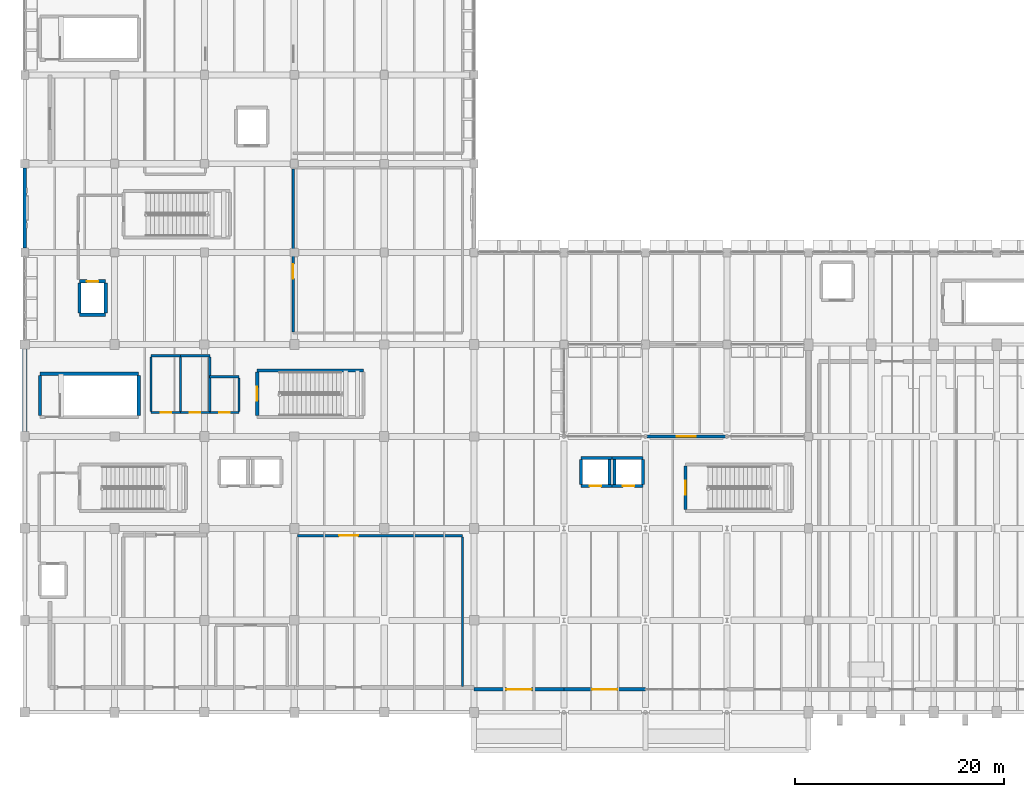
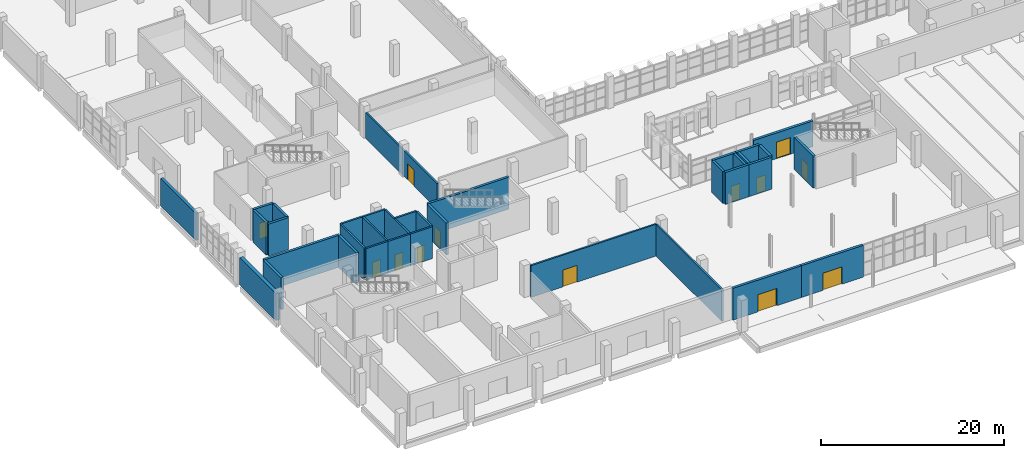
# One storey, part 58 of 76: 36 walls, 13 doors, 13 openings.
"""IFC4 building model written with IfcOpenShell, lengths in metres."""

from ifc_helpers import new_model, si_unit, direction, frame, frame_2d, origin, place, context, subcontext, project, spatial, rectangle, extrude, material, layer, layer_set, type_object, element, fill, save


model = new_model("IFC4")

# Units and contexts
model_context = context("Model", 3, precision=1e-05, world=origin(), true_north=direction((0.0, 1.0)))
body_context = subcontext(model_context, "Body", "Model", "MODEL_VIEW")
ifc_project = project(units=[si_unit("LENGTHUNIT", "METRE"), si_unit("AREAUNIT", "SQUARE_METRE"), si_unit("VOLUMEUNIT", "CUBIC_METRE"), si_unit("PLANEANGLEUNIT", "RADIAN"), si_unit("MASSUNIT", "GRAM", prefix="KILO")], contexts=[model_context])

# Site, building, storey
site_placement = place(None, origin())
site = spatial("IfcSite", under=ifc_project, at=site_placement, CompositionType="ELEMENT")
building_placement = place(site_placement, origin())
building = spatial("IfcBuilding", under=site, at=building_placement, Name="Varnakota Cinema and Media Centre", CompositionType="ELEMENT")
storey_placement = place(building_placement, origin())
storey = spatial("IfcBuildingStorey", under=building, at=storey_placement, Name="L00", CompositionType="ELEMENT", Elevation=0.0)

# Wall, opening, door
ifc_material_1 = material(Name="Autoclaved aerated concrete blockwork", Category="masonry")
ifc_layer_1 = layer(ifc_material_1, 0.2099609375)
ifc_layer_set_1 = layer_set([ifc_layer_1], Name="Autoclaved aerated concrete blockwork")
wall_type_1 = type_object("IfcWallType", Name="W-ACOUST-210", PredefinedType="PARTITIONING", material=ifc_layer_set_1)
wall_1_placement = place(storey_placement, frame((26.094970703125, 16.905029296875, 0.0), z_axis=(0.0, 0.0, 1.0), x_axis=(1.0, 0.0, 0.0)))
wall_1 = element("IfcWall", 1, at=wall_1_placement, inside=storey, type_object=wall_type_1, Name="L00 RWALL-RM-L00-CAFE N wall", PredefinedType="PARTITIONING", context=body_context, shape_type="SweptSolid", body=[
    extrude(rectangle(XDim=15.81005859375, YDim=0.2099609375, at=frame_2d((7.905029296875, 0.0))), origin(), (0.0, 0.0, 1.0), 4.22998046875),
])
opening_1_placement = place(wall_1_placement, frame((4.0048828125, 0.0, 0.0)))
opening_1 = element("IfcOpeningElement", 2, at=opening_1_placement, cuts=wall_1, Name="Opening D-048", PredefinedType="OPENING", context=body_context, shape_type="SweptSolid", body=[
    extrude(rectangle(XDim=1.800048828125, YDim=2.25, at=frame_2d((0.89990234375, 1.125))), frame((0.0, 0.10498046875, 0.0), z_axis=(0.0, -1.0, 0.0), x_axis=(1.0, 0.0, 0.0)), (0.0, 0.0, 1.0), 0.2099609375),
])
ifc_material_2 = material(Name="Thermally broken anodised aluminium AW-6063", Category="aluminium")
door_type_1 = type_object("IfcDoorType", Name="DR-AUD-1800x2250", OperationType="DOUBLE_DOOR_SINGLE_SWING", PredefinedType="DOOR", material=ifc_material_2)
door_1_placement = place(opening_1_placement, origin())
door_1 = element("IfcDoor", 3, at=door_1_placement, inside=storey, type_object=door_type_1, Name="L00 door D-048", OperationType="DOUBLE_DOOR_SINGLE_SWING", OverallHeight=2.25, OverallWidth=1.800048828125, PredefinedType="DOOR", context=body_context, shape_type="SweptSolid", body=[
    extrude(rectangle(XDim=1.800048828125, YDim=2.25, at=frame_2d((0.89990234375, 1.125))), frame((0.0, 0.02490234375, 0.0), z_axis=(0.0, -1.0, 0.0), x_axis=(1.0, 0.0, 0.0)), (0.0, 0.0, 1.0), 0.050048828125),
])
fill(opening_1, door_1)

# Wall
wall_2_placement = place(storey_placement, frame((41.905029296875, 16.800048828125, 0.0), z_axis=(0.0, 0.0, 1.0), x_axis=(0.0, -1.0, 0.0)))
element("IfcWall", 4, at=wall_2_placement, inside=storey, type_object=wall_type_1, Name="L00 RWALL-RM-L00-CAFE E wall", PredefinedType="PARTITIONING", context=body_context, shape_type="SweptSolid", body=[
    extrude(rectangle(XDim=14.35009765625, YDim=0.2099609375, at=frame_2d((7.175048828125, 0.0))), origin(), (0.0, 0.0, 1.0), 4.22998046875),
])

# Wall, opening, door
wall_3_placement = place(storey_placement, frame((25.695068359375, 36.39990234375, 0.0), z_axis=(0.0, 0.0, 1.0), x_axis=(0.0, 1.0, 0.0)))
wall_3 = element("IfcWall", 5, at=wall_3_placement, inside=storey, type_object=wall_type_1, Name="L00 RWALL-RM-L00-REC1 W wall", PredefinedType="PARTITIONING", context=body_context, shape_type="SweptSolid", body=[
    extrude(rectangle(XDim=15.60009765625, YDim=0.2099609375, at=frame_2d((7.800048828125, 0.0))), origin(), (0.0, 0.0, 1.0), 3.429931640625),
])
opening_2_placement = place(wall_3_placement, frame((5.10009765625, 0.0, 0.0)))
opening_2 = element("IfcOpeningElement", 6, at=opening_2_placement, cuts=wall_3, Name="Opening D-053", PredefinedType="OPENING", context=body_context, shape_type="SweptSolid", body=[
    extrude(rectangle(XDim=1.39990234375, YDim=2.14990234375, at=frame_2d((0.699951171875, 1.074951171875))), frame((0.0, 0.10498046875, 0.0), z_axis=(0.0, -1.0, 0.0), x_axis=(1.0, 0.0, 0.0)), (0.0, 0.0, 1.0), 0.2099609375),
])
ifc_material_3 = material(Name="Thermally broken anodised aluminium AW-6063", Category="aluminium")
door_type_2 = type_object("IfcDoorType", Name="DR-STD-1400x2150", OperationType="DOUBLE_DOOR_SINGLE_SWING", PredefinedType="DOOR", material=ifc_material_3)
door_2_placement = place(opening_2_placement, origin())
door_2 = element("IfcDoor", 7, at=door_2_placement, inside=storey, type_object=door_type_2, Name="L00 door D-053", OperationType="DOUBLE_DOOR_SINGLE_SWING", OverallHeight=2.14990234375, OverallWidth=1.39990234375, PredefinedType="DOOR", context=body_context, shape_type="SweptSolid", body=[
    extrude(rectangle(XDim=1.39990234375, YDim=2.14990234375, at=frame_2d((0.699951171875, 1.074951171875))), frame((0.0, 0.02490234375, 0.0), z_axis=(0.0, -1.0, 0.0), x_axis=(1.0, 0.0, 0.0)), (0.0, 0.0, 1.0), 0.050048828125),
])
fill(opening_2, door_2)

ifc_material_4 = material(Name="Concrete M40", Category="concrete")
ifc_layer_2 = layer(ifc_material_4, 0.300048828125)
ifc_layer_set_2 = layer_set([ifc_layer_2], Name="Concrete M40")
wall_type_2 = type_object("IfcWallType", Name="W-CORE-300", PredefinedType="SHEAR", material=ifc_layer_set_2)
wall_4_placement = place(storey_placement, frame((22.25, 28.39990234375, 0.0), z_axis=(0.0, 0.0, 1.0), x_axis=(0.0, 1.0, 0.0)))
wall_4 = element("IfcWall", 8, at=wall_4_placement, inside=storey, type_object=wall_type_2, Name="L00 CWALL-ST-02-L00 W wall", PredefinedType="SHEAR", context=body_context, shape_type="SweptSolid", body=[
    extrude(rectangle(XDim=4.150146484375, YDim=0.300048828125, at=frame_2d((2.0751953125, 0.0))), origin(), (0.0, 0.0, 1.0), 4.25),
])
opening_3_placement = place(wall_4_placement, frame((1.39990234375, 0.0, 0.0)))
opening_3 = element("IfcOpeningElement", 9, at=opening_3_placement, cuts=wall_4, Name="Opening SD-02", PredefinedType="OPENING", context=body_context, shape_type="SweptSolid", body=[
    extrude(rectangle(XDim=1.35009765625, YDim=2.199951171875, at=frame_2d((0.675048828125, 1.10009765625))), frame((0.0, 0.14990234375, 0.0), z_axis=(0.0, -1.0, 0.0), x_axis=(1.0, 0.0, 0.0)), (0.0, 0.0, 1.0), 0.300048828125),
])
ifc_material_5 = material(Name="Thermally broken anodised aluminium AW-6063", Category="aluminium")
door_type_3 = type_object("IfcDoorType", Name="DR-STAIR-1350x2200", OperationType="NOTDEFINED", PredefinedType="DOOR", material=ifc_material_5)
door_3_placement = place(opening_3_placement, origin())
door_3 = element("IfcDoor", 10, at=door_3_placement, inside=storey, type_object=door_type_3, Name="L00 door SD-02", OperationType="SINGLE_SWING_LEFT", OverallHeight=2.199951171875, OverallWidth=1.35009765625, PredefinedType="DOOR", context=body_context, shape_type="SweptSolid", body=[
    extrude(rectangle(XDim=1.35009765625, YDim=2.199951171875, at=frame_2d((0.675048828125, 1.10009765625))), frame((0.0, 0.02490234375, 0.0), z_axis=(0.0, -1.0, 0.0), x_axis=(1.0, 0.0, 0.0)), (0.0, 0.0, 1.0), 0.050048828125),
])
fill(opening_3, door_3)

# Wall
wall_5_placement = place(storey_placement, frame((22.25, 32.699951171875, 0.0), z_axis=(0.0, 0.0, 1.0), x_axis=(1.0, 0.0, 0.0)))
element("IfcWall", 11, at=wall_5_placement, inside=storey, type_object=wall_type_2, Name="L00 CWALL-ST-02-L00 N wall", PredefinedType="SHEAR", context=body_context, shape_type="SweptSolid", body=[
    extrude(rectangle(XDim=10.179931640625, YDim=0.300048828125, at=frame_2d((5.08984375, 0.0))), origin(), (0.0, 0.0, 1.0), 4.25),
])

# Wall, opening, door
wall_6_placement = place(storey_placement, frame((63.25, 19.39990234375, 0.0), z_axis=(0.0, 0.0, 1.0), x_axis=(0.0, 1.0, 0.0)))
wall_6 = element("IfcWall", 12, at=wall_6_placement, inside=storey, type_object=wall_type_2, Name="L00 CWALL-ST-04-L00 W wall", PredefinedType="SHEAR", context=body_context, shape_type="SweptSolid", body=[
    extrude(rectangle(XDim=4.150146484375, YDim=0.300048828125, at=frame_2d((2.0751953125, 0.0))), origin(), (0.0, 0.0, 1.0), 4.25),
])
opening_4_placement = place(wall_6_placement, frame((1.39990234375, 0.0, 0.0)))
opening_4 = element("IfcOpeningElement", 13, at=opening_4_placement, cuts=wall_6, Name="Opening SD-04", PredefinedType="OPENING", context=body_context, shape_type="SweptSolid", body=[
    extrude(rectangle(XDim=1.35009765625, YDim=2.199951171875, at=frame_2d((0.675048828125, 1.10009765625))), frame((0.0, 0.14990234375, 0.0), z_axis=(0.0, -1.0, 0.0), x_axis=(1.0, 0.0, 0.0)), (0.0, 0.0, 1.0), 0.300048828125),
])
door_4_placement = place(opening_4_placement, origin())
door_4 = element("IfcDoor", 14, at=door_4_placement, inside=storey, type_object=door_type_3, Name="L00 door SD-04", OperationType="SINGLE_SWING_LEFT", OverallHeight=2.199951171875, OverallWidth=1.35009765625, PredefinedType="DOOR", context=body_context, shape_type="SweptSolid", body=[
    extrude(rectangle(XDim=1.35009765625, YDim=2.199951171875, at=frame_2d((0.675048828125, 1.10009765625))), frame((0.0, 0.02490234375, 0.0), z_axis=(0.0, -1.0, 0.0), x_axis=(1.0, 0.0, 0.0)), (0.0, 0.0, 1.0), 0.050048828125),
])
fill(opening_4, door_4)

# Walls
wall_7_placement = place(storey_placement, frame((1.449951171875, 28.39990234375, 0.0), z_axis=(0.0, 0.0, 1.0), x_axis=(0.0, 1.0, 0.0)))
element("IfcWall", 15, at=wall_7_placement, inside=storey, type_object=wall_type_2, Name="L00 CWALL-ST-B1-L00 W wall", PredefinedType="SHEAR", context=body_context, shape_type="SweptSolid", body=[
    extrude(rectangle(XDim=3.85009765625, YDim=0.300048828125, at=frame_2d((1.925048828125, 0.0))), origin(), (0.0, 0.0, 1.0), 4.25),
])
wall_8_placement = place(storey_placement, frame((1.449951171875, 32.39990234375, 0.0), z_axis=(0.0, 0.0, 1.0), x_axis=(1.0, 0.0, 0.0)))
element("IfcWall", 16, at=wall_8_placement, inside=storey, type_object=wall_type_2, Name="L00 CWALL-ST-B1-L00 N wall", PredefinedType="SHEAR", context=body_context, shape_type="SweptSolid", body=[
    extrude(rectangle(XDim=9.4599609375, YDim=0.300048828125, at=frame_2d((4.72998046875, 0.0))), origin(), (0.0, 0.0, 1.0), 4.25),
])
wall_9_placement = place(storey_placement, frame((10.909912109375, 32.25, 0.0), z_axis=(0.0, 0.0, 1.0), x_axis=(0.0, -1.0, 0.0)))
element("IfcWall", 17, at=wall_9_placement, inside=storey, type_object=wall_type_2, Name="L00 CWALL-ST-B1-L00 E wall", PredefinedType="SHEAR", context=body_context, shape_type="SweptSolid", body=[
    extrude(rectangle(XDim=3.85009765625, YDim=0.300048828125, at=frame_2d((1.925048828125, 0.0))), origin(), (0.0, 0.0, 1.0), 4.25),
])
wall_10_placement = place(storey_placement, frame((7.75, 38.050048828125, 0.0), z_axis=(0.0, 0.0, 1.0), x_axis=(-1.0, 0.0, 0.0)))
element("IfcWall", 18, at=wall_10_placement, inside=storey, type_object=wall_type_2, Name="L00 LSHAFT-LF-02-L00 S wall", PredefinedType="SHEAR", context=body_context, shape_type="SweptSolid", body=[
    extrude(rectangle(XDim=2.5, YDim=0.300048828125, at=frame_2d((1.25, 0.0))), origin(), (0.0, 0.0, 1.0), 4.25),
])
wall_11_placement = place(storey_placement, frame((5.25, 38.199951171875, 0.0), z_axis=(0.0, 0.0, 1.0), x_axis=(0.0, 1.0, 0.0)))
element("IfcWall", 19, at=wall_11_placement, inside=storey, type_object=wall_type_2, Name="L00 LSHAFT-LF-02-L00 W wall", PredefinedType="SHEAR", context=body_context, shape_type="SweptSolid", body=[
    extrude(rectangle(XDim=2.900146484375, YDim=0.300048828125, at=frame_2d((1.4501953125, 0.0))), origin(), (0.0, 0.0, 1.0), 4.25),
])

# Wall, opening, door
wall_12_placement = place(storey_placement, frame((5.25, 41.25, 0.0), z_axis=(0.0, 0.0, 1.0), x_axis=(1.0, 0.0, 0.0)))
wall_12 = element("IfcWall", 20, at=wall_12_placement, inside=storey, type_object=wall_type_2, Name="L00 LSHAFT-LF-02-L00 N wall", PredefinedType="SHEAR", context=body_context, shape_type="SweptSolid", body=[
    extrude(rectangle(XDim=2.5, YDim=0.300048828125, at=frame_2d((1.25, 0.0))), origin(), (0.0, 0.0, 1.0), 4.25),
])
opening_5_placement = place(wall_12_placement, frame((0.699951171875, 0.0, 0.0)))
opening_5 = element("IfcOpeningElement", 21, at=opening_5_placement, cuts=wall_12, Name="Opening LD-02", PredefinedType="OPENING", context=body_context, shape_type="SweptSolid", body=[
    extrude(rectangle(XDim=1.10009765625, YDim=2.10009765625, at=frame_2d((0.550048828125, 1.050048828125))), frame((0.0, 0.14990234375, 0.0), z_axis=(0.0, -1.0, 0.0), x_axis=(1.0, 0.0, 0.0)), (0.0, 0.0, 1.0), 0.300048828125),
])
ifc_material_6 = material(Name="Thermally broken anodised aluminium AW-6063", Category="aluminium")
door_type_4 = type_object("IfcDoorType", Name="DR-LIFT-1100x2100", OperationType="SLIDING_TO_LEFT", PredefinedType="DOOR", material=ifc_material_6)
door_5_placement = place(opening_5_placement, origin())
door_5 = element("IfcDoor", 22, at=door_5_placement, inside=storey, type_object=door_type_4, Name="L00 door LD-02", OperationType="SLIDING_TO_LEFT", OverallHeight=2.10009765625, OverallWidth=1.10009765625, PredefinedType="DOOR", context=body_context, shape_type="SweptSolid", body=[
    extrude(rectangle(XDim=1.10009765625, YDim=2.10009765625, at=frame_2d((0.550048828125, 1.050048828125))), frame((0.0, 0.02490234375, 0.0), z_axis=(0.0, -1.0, 0.0), x_axis=(1.0, 0.0, 0.0)), (0.0, 0.0, 1.0), 0.050048828125),
])
fill(opening_5, door_5)

# Wall
wall_13_placement = place(storey_placement, frame((7.75, 41.10009765625, 0.0), z_axis=(0.0, 0.0, 1.0), x_axis=(0.0, -1.0, 0.0)))
element("IfcWall", 23, at=wall_13_placement, inside=storey, type_object=wall_type_2, Name="L00 LSHAFT-LF-02-L00 E wall", PredefinedType="SHEAR", context=body_context, shape_type="SweptSolid", body=[
    extrude(rectangle(XDim=2.900146484375, YDim=0.300048828125, at=frame_2d((1.4501953125, 0.0))), origin(), (0.0, 0.0, 1.0), 4.25),
])

# Wall, opening, door
wall_14_placement = place(storey_placement, frame((56.199951171875, 21.64990234375, 0.0), z_axis=(0.0, 0.0, 1.0), x_axis=(-1.0, 0.0, 0.0)))
wall_14 = element("IfcWall", 24, at=wall_14_placement, inside=storey, type_object=wall_type_2, Name="L00 LSHAFT-LF-05-L00 S wall", PredefinedType="SHEAR", context=body_context, shape_type="SweptSolid", body=[
    extrude(rectangle(XDim=2.949951171875, YDim=0.300048828125, at=frame_2d((1.47509765625, 0.0))), origin(), (0.0, 0.0, 1.0), 4.25),
])
opening_6_placement = place(wall_14_placement, frame((1.050048828125, 0.0, 0.0)))
opening_6 = element("IfcOpeningElement", 25, at=opening_6_placement, cuts=wall_14, Name="Opening LD-05", PredefinedType="OPENING", context=body_context, shape_type="SweptSolid", body=[
    extrude(rectangle(XDim=1.10009765625, YDim=2.10009765625, at=frame_2d((0.550048828125, 1.050048828125))), frame((0.0, 0.14990234375, 0.0), z_axis=(0.0, -1.0, 0.0), x_axis=(1.0, 0.0, 0.0)), (0.0, 0.0, 1.0), 0.300048828125),
])
door_6_placement = place(opening_6_placement, origin())
door_6 = element("IfcDoor", 26, at=door_6_placement, inside=storey, type_object=door_type_4, Name="L00 door LD-05", OperationType="SLIDING_TO_LEFT", OverallHeight=2.10009765625, OverallWidth=1.10009765625, PredefinedType="DOOR", context=body_context, shape_type="SweptSolid", body=[
    extrude(rectangle(XDim=1.10009765625, YDim=2.10009765625, at=frame_2d((0.550048828125, 1.050048828125))), frame((0.0, 0.02490234375, 0.0), z_axis=(0.0, -1.0, 0.0), x_axis=(1.0, 0.0, 0.0)), (0.0, 0.0, 1.0), 0.050048828125),
])
fill(opening_6, door_6)

# Walls
wall_15_placement = place(storey_placement, frame((53.25, 21.800048828125, 0.0), z_axis=(0.0, 0.0, 1.0), x_axis=(0.0, 1.0, 0.0)))
element("IfcWall", 27, at=wall_15_placement, inside=storey, type_object=wall_type_2, Name="L00 LSHAFT-LF-05-L00 W wall", PredefinedType="SHEAR", context=body_context, shape_type="SweptSolid", body=[
    extrude(rectangle(XDim=2.39990234375, YDim=0.300048828125, at=frame_2d((1.199951171875, 0.0))), origin(), (0.0, 0.0, 1.0), 4.25),
])
wall_16_placement = place(storey_placement, frame((53.25, 24.35009765625, 0.0), z_axis=(0.0, 0.0, 1.0), x_axis=(1.0, 0.0, 0.0)))
element("IfcWall", 28, at=wall_16_placement, inside=storey, type_object=wall_type_2, Name="L00 LSHAFT-LF-05-L00 N wall", PredefinedType="SHEAR", context=body_context, shape_type="SweptSolid", body=[
    extrude(rectangle(XDim=2.949951171875, YDim=0.300048828125, at=frame_2d((1.47509765625, 0.0))), origin(), (0.0, 0.0, 1.0), 4.25),
])
wall_17_placement = place(storey_placement, frame((55.949951171875, 24.199951171875, 0.0), z_axis=(0.0, 0.0, 1.0), x_axis=(0.0, -1.0, 0.0)))
element("IfcWall", 29, at=wall_17_placement, inside=storey, type_object=wall_type_2, Name="L00 LSHAFT-LF-05-L00 E wall", PredefinedType="SHEAR", context=body_context, shape_type="SweptSolid", body=[
    extrude(rectangle(XDim=2.39990234375, YDim=0.300048828125, at=frame_2d((1.199951171875, 0.0))), origin(), (0.0, 0.0, 1.0), 4.25),
])

# Wall, opening, door
wall_18_placement = place(storey_placement, frame((59.14990234375, 21.64990234375, 0.0), z_axis=(0.0, 0.0, 1.0), x_axis=(-1.0, 0.0, 0.0)))
wall_18 = element("IfcWall", 30, at=wall_18_placement, inside=storey, type_object=wall_type_2, Name="L00 LSHAFT-LF-06-L00 S wall", PredefinedType="SHEAR", context=body_context, shape_type="SweptSolid", body=[
    extrude(rectangle(XDim=2.949951171875, YDim=0.300048828125, at=frame_2d((1.47509765625, 0.0))), origin(), (0.0, 0.0, 1.0), 4.25),
])
opening_7_placement = place(wall_18_placement, frame((0.800048828125, 0.0, 0.0)))
opening_7 = element("IfcOpeningElement", 31, at=opening_7_placement, cuts=wall_18, Name="Opening LD-06", PredefinedType="OPENING", context=body_context, shape_type="SweptSolid", body=[
    extrude(rectangle(XDim=1.10009765625, YDim=2.10009765625, at=frame_2d((0.550048828125, 1.050048828125))), frame((0.0, 0.14990234375, 0.0), z_axis=(0.0, -1.0, 0.0), x_axis=(1.0, 0.0, 0.0)), (0.0, 0.0, 1.0), 0.300048828125),
])
door_7_placement = place(opening_7_placement, origin())
door_7 = element("IfcDoor", 32, at=door_7_placement, inside=storey, type_object=door_type_4, Name="L00 door LD-06", OperationType="SLIDING_TO_LEFT", OverallHeight=2.10009765625, OverallWidth=1.10009765625, PredefinedType="DOOR", context=body_context, shape_type="SweptSolid", body=[
    extrude(rectangle(XDim=1.10009765625, YDim=2.10009765625, at=frame_2d((0.550048828125, 1.050048828125))), frame((0.0, 0.02490234375, 0.0), z_axis=(0.0, -1.0, 0.0), x_axis=(1.0, 0.0, 0.0)), (0.0, 0.0, 1.0), 0.050048828125),
])
fill(opening_7, door_7)

# Walls
wall_19_placement = place(storey_placement, frame((56.449951171875, 21.800048828125, 0.0), z_axis=(0.0, 0.0, 1.0), x_axis=(0.0, 1.0, 0.0)))
element("IfcWall", 33, at=wall_19_placement, inside=storey, type_object=wall_type_2, Name="L00 LSHAFT-LF-06-L00 W wall", PredefinedType="SHEAR", context=body_context, shape_type="SweptSolid", body=[
    extrude(rectangle(XDim=2.39990234375, YDim=0.300048828125, at=frame_2d((1.199951171875, 0.0))), origin(), (0.0, 0.0, 1.0), 4.25),
])
wall_20_placement = place(storey_placement, frame((56.199951171875, 24.35009765625, 0.0), z_axis=(0.0, 0.0, 1.0), x_axis=(1.0, 0.0, 0.0)))
element("IfcWall", 34, at=wall_20_placement, inside=storey, type_object=wall_type_2, Name="L00 LSHAFT-LF-06-L00 N wall", PredefinedType="SHEAR", context=body_context, shape_type="SweptSolid", body=[
    extrude(rectangle(XDim=2.949951171875, YDim=0.300048828125, at=frame_2d((1.47509765625, 0.0))), origin(), (0.0, 0.0, 1.0), 4.25),
])
wall_21_placement = place(storey_placement, frame((59.14990234375, 24.199951171875, 0.0), z_axis=(0.0, 0.0, 1.0), x_axis=(0.0, -1.0, 0.0)))
element("IfcWall", 35, at=wall_21_placement, inside=storey, type_object=wall_type_2, Name="L00 LSHAFT-LF-06-L00 E wall", PredefinedType="SHEAR", context=body_context, shape_type="SweptSolid", body=[
    extrude(rectangle(XDim=2.39990234375, YDim=0.300048828125, at=frame_2d((1.199951171875, 0.0))), origin(), (0.0, 0.0, 1.0), 4.25),
])

# Wall, opening, door
ifc_material_7 = material(Name="Concrete M40", Category="concrete")
ifc_layer_3 = layer(ifc_material_7, 0.31005859375)
ifc_layer_set_3 = layer_set([ifc_layer_3], Name="Concrete M40")
wall_type_3 = type_object("IfcWallType", Name="W-EXT-CONC-310", PredefinedType="SOLIDWALL", material=ifc_layer_set_3)
wall_22_placement = place(storey_placement, frame((59.39990234375, 2.199951171875, 0.0), z_axis=(0.0, 0.0, 1.0), x_axis=(-1.0, 0.0, 0.0)))
wall_22 = element("IfcWall", 36, at=wall_22_placement, inside=storey, type_object=wall_type_3, Name="L00 exterior wall V6-S-3", PredefinedType="SOLIDWALL", context=body_context, shape_type="SweptSolid", body=[
    extrude(rectangle(XDim=7.7998046875, YDim=0.31005859375, at=frame_2d((3.89990234375, 0.0))), origin(), (0.0, 0.0, 1.0), 4.235107421875),
])
opening_8_placement = place(wall_22_placement, frame((2.699951171875, 0.0, 0.0)))
opening_8 = element("IfcOpeningElement", 37, at=opening_8_placement, cuts=wall_22, Name="Opening ED-03", PredefinedType="OPENING", context=body_context, shape_type="SweptSolid", body=[
    extrude(rectangle(XDim=2.39990234375, YDim=2.300048828125, at=frame_2d((1.199951171875, 1.14990234375))), frame((0.0, 0.155029296875, 0.0), z_axis=(0.0, -1.0, 0.0), x_axis=(1.0, 0.0, 0.0)), (0.0, 0.0, 1.0), 0.31005859375),
])
ifc_material_8 = material(Name="Anodised golden-bronze aluminium AW-6063", Category="aluminium")
door_type_5 = type_object("IfcDoorType", Name="DR-EXIT-2400x2300", OperationType="DOUBLE_DOOR_SINGLE_SWING", PredefinedType="DOOR", material=ifc_material_8)
door_8_placement = place(opening_8_placement, origin())
door_8 = element("IfcDoor", 38, at=door_8_placement, inside=storey, type_object=door_type_5, Name="L00 door ED-03", OperationType="DOUBLE_DOOR_SINGLE_SWING", OverallHeight=2.300048828125, OverallWidth=2.39990234375, PredefinedType="DOOR", context=body_context, shape_type="SweptSolid", body=[
    extrude(rectangle(XDim=2.39990234375, YDim=2.300048828125, at=frame_2d((1.199951171875, 1.14990234375))), frame((0.0, 0.02490234375, 0.0), z_axis=(0.0, -1.0, 0.0), x_axis=(1.0, 0.0, 0.0)), (0.0, 0.0, 1.0), 0.050048828125),
])
fill(opening_8, door_8)

wall_23_placement = place(storey_placement, frame((51.60009765625, 2.199951171875, 0.0), z_axis=(0.0, 0.0, 1.0), x_axis=(-1.0, 0.0, 0.0)))
wall_23 = element("IfcWall", 39, at=wall_23_placement, inside=storey, type_object=wall_type_3, Name="L00 exterior wall V6-S-4", PredefinedType="SOLIDWALL", context=body_context, shape_type="SweptSolid", body=[
    extrude(rectangle(XDim=8.60009765625, YDim=0.31005859375, at=frame_2d((4.300048828125, 0.0))), origin(), (0.0, 0.0, 1.0), 4.235107421875),
])
opening_9_placement = place(wall_23_placement, frame((3.10009765625, 0.0, 0.0)))
opening_9 = element("IfcOpeningElement", 40, at=opening_9_placement, cuts=wall_23, Name="Opening ED-02", PredefinedType="OPENING", context=body_context, shape_type="SweptSolid", body=[
    extrude(rectangle(XDim=2.39990234375, YDim=2.300048828125, at=frame_2d((1.199951171875, 1.14990234375))), frame((0.0, 0.155029296875, 0.0), z_axis=(0.0, -1.0, 0.0), x_axis=(1.0, 0.0, 0.0)), (0.0, 0.0, 1.0), 0.31005859375),
])
door_9_placement = place(opening_9_placement, origin())
door_9 = element("IfcDoor", 41, at=door_9_placement, inside=storey, type_object=door_type_5, Name="L00 door ED-02", OperationType="DOUBLE_DOOR_SINGLE_SWING", OverallHeight=2.300048828125, OverallWidth=2.39990234375, PredefinedType="DOOR", context=body_context, shape_type="SweptSolid", body=[
    extrude(rectangle(XDim=2.39990234375, YDim=2.300048828125, at=frame_2d((1.199951171875, 1.14990234375))), frame((0.0, 0.02490234375, 0.0), z_axis=(0.0, -1.0, 0.0), x_axis=(1.0, 0.0, 0.0)), (0.0, 0.0, 1.0), 0.050048828125),
])
fill(opening_9, door_9)

wall_24_placement = place(storey_placement, frame((59.56201171875, 26.39990234375, 0.0), z_axis=(0.0, 0.0, 1.0), x_axis=(1.0, 0.0, 0.0)))
wall_24 = element("IfcWall", 42, at=wall_24_placement, inside=storey, type_object=wall_type_3, Name="L00 exterior wall V6-N-2", PredefinedType="SOLIDWALL", context=body_context, shape_type="SweptSolid", body=[
    extrude(rectangle(XDim=7.47607421875, YDim=0.31005859375, at=frame_2d((3.738037109375, 0.0))), origin(), (0.0, 0.0, 1.0), 3.43505859375),
])
opening_10_placement = place(wall_24_placement, frame((2.838134765625, 0.0, 0.0)))
opening_10 = element("IfcOpeningElement", 43, at=opening_10_placement, cuts=wall_24, Name="Opening TD-01", PredefinedType="OPENING", context=body_context, shape_type="SweptSolid", body=[
    extrude(rectangle(XDim=1.800048828125, YDim=2.199951171875, at=frame_2d((0.89990234375, 1.10009765625))), frame((0.0, 0.155029296875, 0.0), z_axis=(0.0, -1.0, 0.0), x_axis=(1.0, 0.0, 0.0)), (0.0, 0.0, 1.0), 0.31005859375),
])
ifc_material_9 = material(Name="Anodised golden-bronze aluminium AW-6063", Category="aluminium")
door_type_6 = type_object("IfcDoorType", Name="DR-TERR-1800x2200", OperationType="DOUBLE_DOOR_SINGLE_SWING", PredefinedType="DOOR", material=ifc_material_9)
door_10_placement = place(opening_10_placement, origin())
door_10 = element("IfcDoor", 44, at=door_10_placement, inside=storey, type_object=door_type_6, Name="L00 door TD-01", OperationType="DOUBLE_DOOR_SINGLE_SWING", OverallHeight=2.199951171875, OverallWidth=1.800048828125, PredefinedType="DOOR", context=body_context, shape_type="SweptSolid", body=[
    extrude(rectangle(XDim=1.800048828125, YDim=2.199951171875, at=frame_2d((0.89990234375, 1.10009765625))), frame((0.0, 0.02490234375, 0.0), z_axis=(0.0, -1.0, 0.0), x_axis=(1.0, 0.0, 0.0)), (0.0, 0.0, 1.0), 0.050048828125),
])
fill(opening_10, door_10)

# Walls
ifc_material_10 = material(Name="Deccan grey granite ashlar", Category="masonry")
ifc_layer_4 = layer(ifc_material_10, 0.320068359375)
ifc_layer_set_4 = layer_set([ifc_layer_4], Name="Deccan grey granite ashlar")
wall_type_4 = type_object("IfcWallType", Name="W-EXT-GRAN-320", PredefinedType="SOLIDWALL", material=ifc_layer_set_4)
wall_25_placement = place(storey_placement, frame((0.0, 52.10009765625, 0.0), z_axis=(0.0, 0.0, 1.0), x_axis=(0.0, -1.0, 0.0)))
element("IfcWall", 45, at=wall_25_placement, inside=storey, type_object=wall_type_4, Name="L00 exterior wall V5-W-S-1", PredefinedType="SOLIDWALL", context=body_context, shape_type="SweptSolid", body=[
    extrude(rectangle(XDim=7.675048828125, YDim=0.320068359375, at=frame_2d((3.83740234375, 0.0))), origin(), (0.0, 0.0, 1.0), 3.635009765625),
])
ifc_material_11 = material(Name="Deccan grey granite ashlar", Category="masonry")
ifc_layer_5 = layer(ifc_material_11, 0.43994140625)
ifc_layer_set_5 = layer_set([ifc_layer_5], Name="Deccan grey granite ashlar")
wall_type_5 = type_object("IfcWallType", Name="W-EXT-HALL-440", PredefinedType="SOLIDWALL", material=ifc_layer_set_5)
wall_26_placement = place(storey_placement, frame((0.0, 26.875, 0.0), z_axis=(0.0, 0.0, 1.0), x_axis=(0.0, 1.0, 0.0)))
element("IfcWall", 46, at=wall_26_placement, inside=storey, type_object=wall_type_5, Name="L00 exterior wall V4-W-CORE-3", PredefinedType="SOLIDWALL", context=body_context, shape_type="SweptSolid", body=[
    extrude(rectangle(XDim=7.875, YDim=0.43994140625, at=frame_2d((3.9375, 0.0))), origin(), (0.0, 0.0, 1.0), 3.635009765625),
])

# Wall, opening, door
ifc_material_12 = material(Name="Autoclaved aerated concrete blockwork", Category="masonry")
ifc_layer_6 = layer(ifc_material_12, 0.219970703125)
ifc_layer_set_6 = layer_set([ifc_layer_6], Name="Autoclaved aerated concrete blockwork")
wall_type_6 = type_object("IfcWallType", Name="W-PLUMB-220", PredefinedType="PLUMBINGWALL", material=ifc_layer_set_6)
wall_27_placement = place(storey_placement, frame((14.909912109375, 28.68994140625, 0.0), z_axis=(0.0, 0.0, 1.0), x_axis=(-1.0, 0.0, 0.0)))
wall_27 = element("IfcWall", 47, at=wall_27_placement, inside=storey, type_object=wall_type_6, Name="L00 RWALL-RM-L00-WCM S wall", PredefinedType="PLUMBINGWALL", context=body_context, shape_type="SweptSolid", body=[
    extrude(rectangle(XDim=2.81982421875, YDim=0.219970703125, at=frame_2d((1.409912109375, 0.0))), origin(), (0.0, 0.0, 1.0), 4.22998046875),
])
opening_11_placement = place(wall_27_placement, frame((0.909912109375, 0.0, 0.0)))
opening_11 = element("IfcOpeningElement", 48, at=opening_11_placement, cuts=wall_27, Name="Opening D-017", PredefinedType="OPENING", context=body_context, shape_type="SweptSolid", body=[
    extrude(rectangle(XDim=1.0, YDim=2.10009765625, at=frame_2d((0.5, 1.050048828125))), frame((0.0, 0.10986328125, 0.0), z_axis=(0.0, -1.0, 0.0), x_axis=(1.0, 0.0, 0.0)), (0.0, 0.0, 1.0), 0.219970703125),
])
ifc_material_13 = material(Name="Thermally broken anodised aluminium AW-6063", Category="aluminium")
door_type_7 = type_object("IfcDoorType", Name="DR-STD-1000x2100", OperationType="NOTDEFINED", PredefinedType="DOOR", material=ifc_material_13)
door_11_placement = place(opening_11_placement, origin())
door_11 = element("IfcDoor", 49, at=door_11_placement, inside=storey, type_object=door_type_7, Name="L00 door D-017", OperationType="SINGLE_SWING_LEFT", OverallHeight=2.10009765625, OverallWidth=1.0, PredefinedType="DOOR", context=body_context, shape_type="SweptSolid", body=[
    extrude(rectangle(XDim=1.0, YDim=2.10009765625, at=frame_2d((0.5, 1.050048828125))), frame((0.0, 0.02490234375, 0.0), z_axis=(0.0, -1.0, 0.0), x_axis=(1.0, 0.0, 0.0)), (0.0, 0.0, 1.0), 0.050048828125),
])
fill(opening_11, door_11)

# Walls
wall_28_placement = place(storey_placement, frame((12.090087890625, 28.800048828125, 0.0), z_axis=(0.0, 0.0, 1.0), x_axis=(0.0, 1.0, 0.0)))
element("IfcWall", 50, at=wall_28_placement, inside=storey, type_object=wall_type_6, Name="L00 RWALL-RM-L00-WCM W wall", PredefinedType="PLUMBINGWALL", context=body_context, shape_type="SweptSolid", body=[
    extrude(rectangle(XDim=5.199951171875, YDim=0.219970703125, at=frame_2d((2.60009765625, 0.0))), origin(), (0.0, 0.0, 1.0), 4.22998046875),
])
wall_29_placement = place(storey_placement, frame((12.090087890625, 34.110107421875, 0.0), z_axis=(0.0, 0.0, 1.0), x_axis=(1.0, 0.0, 0.0)))
element("IfcWall", 51, at=wall_29_placement, inside=storey, type_object=wall_type_6, Name="L00 RWALL-RM-L00-WCM N wall", PredefinedType="PLUMBINGWALL", context=body_context, shape_type="SweptSolid", body=[
    extrude(rectangle(XDim=2.81982421875, YDim=0.219970703125, at=frame_2d((1.409912109375, 0.0))), origin(), (0.0, 0.0, 1.0), 4.22998046875),
])
wall_30_placement = place(storey_placement, frame((14.909912109375, 34.0, 0.0), z_axis=(0.0, 0.0, 1.0), x_axis=(0.0, -1.0, 0.0)))
element("IfcWall", 52, at=wall_30_placement, inside=storey, type_object=wall_type_6, Name="L00 RWALL-RM-L00-WCM E wall", PredefinedType="PLUMBINGWALL", context=body_context, shape_type="SweptSolid", body=[
    extrude(rectangle(XDim=5.199951171875, YDim=0.219970703125, at=frame_2d((2.60009765625, 0.0))), origin(), (0.0, 0.0, 1.0), 4.22998046875),
])

# Wall, opening, door
wall_31_placement = place(storey_placement, frame((17.7099609375, 28.68994140625, 0.0), z_axis=(0.0, 0.0, 1.0), x_axis=(-1.0, 0.0, 0.0)))
wall_31 = element("IfcWall", 53, at=wall_31_placement, inside=storey, type_object=wall_type_6, Name="L00 RWALL-RM-L00-WCF S wall", PredefinedType="PLUMBINGWALL", context=body_context, shape_type="SweptSolid", body=[
    extrude(rectangle(XDim=2.820068359375, YDim=0.219970703125, at=frame_2d((1.41015625, 0.0))), origin(), (0.0, 0.0, 1.0), 4.22998046875),
])
opening_12_placement = place(wall_31_placement, frame((0.909912109375, 0.0, 0.0)))
opening_12 = element("IfcOpeningElement", 54, at=opening_12_placement, cuts=wall_31, Name="Opening D-018", PredefinedType="OPENING", context=body_context, shape_type="SweptSolid", body=[
    extrude(rectangle(XDim=1.0, YDim=2.10009765625, at=frame_2d((0.5, 1.050048828125))), frame((0.0, 0.10986328125, 0.0), z_axis=(0.0, -1.0, 0.0), x_axis=(1.0, 0.0, 0.0)), (0.0, 0.0, 1.0), 0.219970703125),
])
door_12_placement = place(opening_12_placement, origin())
door_12 = element("IfcDoor", 55, at=door_12_placement, inside=storey, type_object=door_type_7, Name="L00 door D-018", OperationType="SINGLE_SWING_RIGHT", OverallHeight=2.10009765625, OverallWidth=1.0, PredefinedType="DOOR", context=body_context, shape_type="SweptSolid", body=[
    extrude(rectangle(XDim=1.0, YDim=2.10009765625, at=frame_2d((0.5, 1.050048828125))), frame((0.0, 0.02490234375, 0.0), z_axis=(0.0, -1.0, 0.0), x_axis=(1.0, 0.0, 0.0)), (0.0, 0.0, 1.0), 0.050048828125),
])
fill(opening_12, door_12)

# Walls
wall_32_placement = place(storey_placement, frame((14.889892578125, 34.110107421875, 0.0), z_axis=(0.0, 0.0, 1.0), x_axis=(1.0, 0.0, 0.0)))
element("IfcWall", 56, at=wall_32_placement, inside=storey, type_object=wall_type_6, Name="L00 RWALL-RM-L00-WCF N wall", PredefinedType="PLUMBINGWALL", context=body_context, shape_type="SweptSolid", body=[
    extrude(rectangle(XDim=2.820068359375, YDim=0.219970703125, at=frame_2d((1.41015625, 0.0))), origin(), (0.0, 0.0, 1.0), 4.22998046875),
])
wall_33_placement = place(storey_placement, frame((17.7099609375, 34.0, 0.0), z_axis=(0.0, 0.0, 1.0), x_axis=(0.0, -1.0, 0.0)))
element("IfcWall", 57, at=wall_33_placement, inside=storey, type_object=wall_type_6, Name="L00 RWALL-RM-L00-WCF E wall", PredefinedType="PLUMBINGWALL", context=body_context, shape_type="SweptSolid", body=[
    extrude(rectangle(XDim=5.199951171875, YDim=0.219970703125, at=frame_2d((2.60009765625, 0.0))), origin(), (0.0, 0.0, 1.0), 4.22998046875),
])

# Wall, opening, door
wall_34_placement = place(storey_placement, frame((20.510009765625, 28.68994140625, 0.0), z_axis=(0.0, 0.0, 1.0), x_axis=(-1.0, 0.0, 0.0)))
wall_34 = element("IfcWall", 58, at=wall_34_placement, inside=storey, type_object=wall_type_6, Name="L00 RWALL-RM-L00-WCA S wall", PredefinedType="PLUMBINGWALL", context=body_context, shape_type="SweptSolid", body=[
    extrude(rectangle(XDim=2.820068359375, YDim=0.219970703125, at=frame_2d((1.41015625, 0.0))), origin(), (0.0, 0.0, 1.0), 4.22998046875),
])
opening_13_placement = place(wall_34_placement, frame((0.909912109375, 0.0, 0.0)))
opening_13 = element("IfcOpeningElement", 59, at=opening_13_placement, cuts=wall_34, Name="Opening D-019", PredefinedType="OPENING", context=body_context, shape_type="SweptSolid", body=[
    extrude(rectangle(XDim=1.0, YDim=2.10009765625, at=frame_2d((0.5, 1.050048828125))), frame((0.0, 0.10986328125, 0.0), z_axis=(0.0, -1.0, 0.0), x_axis=(1.0, 0.0, 0.0)), (0.0, 0.0, 1.0), 0.219970703125),
])
door_13_placement = place(opening_13_placement, origin())
door_13 = element("IfcDoor", 60, at=door_13_placement, inside=storey, type_object=door_type_7, Name="L00 door D-019", OperationType="SINGLE_SWING_LEFT", OverallHeight=2.10009765625, OverallWidth=1.0, PredefinedType="DOOR", context=body_context, shape_type="SweptSolid", body=[
    extrude(rectangle(XDim=1.0, YDim=2.10009765625, at=frame_2d((0.5, 1.050048828125))), frame((0.0, 0.02490234375, 0.0), z_axis=(0.0, -1.0, 0.0), x_axis=(1.0, 0.0, 0.0)), (0.0, 0.0, 1.0), 0.050048828125),
])
fill(opening_13, door_13)

# Walls
wall_35_placement = place(storey_placement, frame((17.68994140625, 32.110107421875, 0.0), z_axis=(0.0, 0.0, 1.0), x_axis=(1.0, 0.0, 0.0)))
element("IfcWall", 61, at=wall_35_placement, inside=storey, type_object=wall_type_6, Name="L00 RWALL-RM-L00-WCA N wall", PredefinedType="PLUMBINGWALL", context=body_context, shape_type="SweptSolid", body=[
    extrude(rectangle(XDim=2.820068359375, YDim=0.219970703125, at=frame_2d((1.41015625, 0.0))), origin(), (0.0, 0.0, 1.0), 4.22998046875),
])
wall_36_placement = place(storey_placement, frame((20.510009765625, 32.0, 0.0), z_axis=(0.0, 0.0, 1.0), x_axis=(0.0, -1.0, 0.0)))
element("IfcWall", 62, at=wall_36_placement, inside=storey, type_object=wall_type_6, Name="L00 RWALL-RM-L00-WCA E wall", PredefinedType="PLUMBINGWALL", context=body_context, shape_type="SweptSolid", body=[
    extrude(rectangle(XDim=3.199951171875, YDim=0.219970703125, at=frame_2d((1.60009765625, 0.0))), origin(), (0.0, 0.0, 1.0), 4.22998046875),
])

save(model, "model.ifc")
